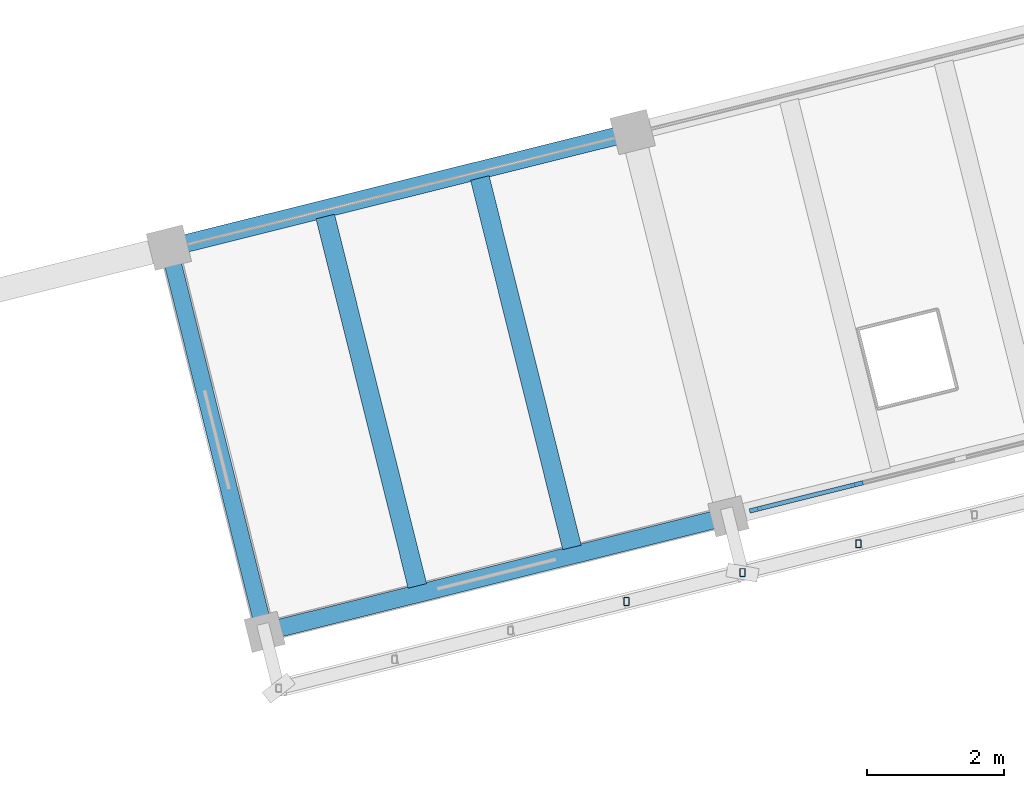
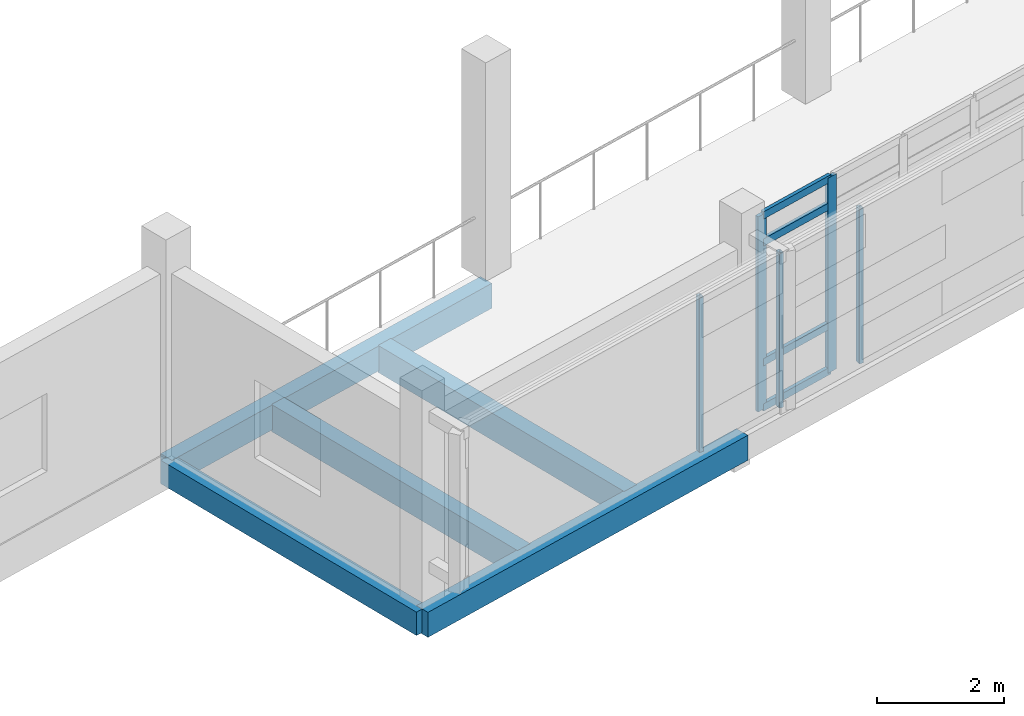
# One storey, part 5 of 137: 9 members, 5 beams, 1 element without a shape of its own.
"""IFC4 building model written with IfcOpenShell, lengths in metres."""

from ifc_helpers import new_model, si_unit, direction, frame, origin, origin_2d, place, context, subcontext, project, spatial, rectangle, hollow_rectangle, extrude, material, material_profile, profile_set, type_object, element, aggregate, save


model = new_model("IFC4")

# Units and contexts
model_context = context("Model", 3, precision=1e-05, world=origin(), true_north=direction((0.0, 1.0)))
body_context = subcontext(model_context, "Body", "Model", "MODEL_VIEW")
ifc_project = project(units=[si_unit("LENGTHUNIT", "METRE"), si_unit("AREAUNIT", "SQUARE_METRE"), si_unit("VOLUMEUNIT", "CUBIC_METRE"), si_unit("PLANEANGLEUNIT", "RADIAN"), si_unit("MASSUNIT", "GRAM", prefix="KILO")], contexts=[model_context])

# Site, building, storey
site_placement = place(None, origin())
site = spatial("IfcSite", under=ifc_project, at=site_placement, CompositionType="ELEMENT")
building_placement = place(site_placement, origin())
building = spatial("IfcBuilding", under=site, at=building_placement, Name="Cinderway Yard Community Centre", CompositionType="ELEMENT")
storey_placement = place(building_placement, frame((0.0, 0.0, 4.800048828125)))
storey = spatial("IfcBuildingStorey", under=building, at=storey_placement, Name="L01", CompositionType="ELEMENT", Elevation=4.800048828125)

# Curtain wall, members
ifc_material_1 = material(Name="Aluminium 6063-T6", Category="aluminium")
curtain_wall_type = type_object("IfcCurtainWallType", Name="ENV-CW-TYPE-05", PredefinedType="USERDEFINED", material=ifc_material_1)
curtain_wall_placement = place(storey_placement, origin())
curtain_wall = element("IfcCurtainWall", 1, at=curtain_wall_placement, inside=storey, type_object=curtain_wall_type, Name="Sanctuary South Curtain Wall ENV-CW-L01-HS-0017", ObjectType="GLAZED CURTAIN WALL", PredefinedType="USERDEFINED")
ifc_material_profile_1 = material_profile(ifc_material_1, rectangle(XDim=0.06494140625, YDim=0.179931640625, at=origin_2d()), Name="Aluminium 6063-T6")
ifc_profile_set_1 = profile_set([ifc_material_profile_1], Name="Aluminium 6063-T6")
member_type_1 = type_object("IfcMemberType", Name="ENV-CW-MULL-180", PredefinedType="MULLION", material=ifc_profile_set_1)
member_1_placement = place(storey_placement, frame((35.195068359375, 22.975341796875, 0.0), z_axis=(0.0, 0.0, 1.0), x_axis=(-0.241856748919, 0.970311966845, 0.0)))
member_1 = element("IfcMember", 2, at=member_1_placement, type_object=member_type_1, Name="CW-05 mullion 1", PredefinedType="MULLION", context=body_context, shape_type="SweptSolid", body=[
    extrude(rectangle(XDim=0.06494140625, YDim=0.179931640625, at=origin_2d()), origin(), (0.0, 0.0, 1.0), 3.75),
])
member_2_placement = place(storey_placement, frame((36.679443359375, 23.34521484375, 0.0), z_axis=(0.0, 0.0, 1.0), x_axis=(-0.241856748919, 0.970311966845, 0.0)))
member_2 = element("IfcMember", 3, at=member_2_placement, type_object=member_type_1, Name="CW-05 mullion 2", PredefinedType="MULLION", context=body_context, shape_type="SweptSolid", body=[
    extrude(rectangle(XDim=0.06494140625, YDim=0.179931640625, at=origin_2d()), origin(), (0.0, 0.0, 1.0), 3.75),
])
ifc_material_profile_2 = material_profile(ifc_material_1, rectangle(XDim=0.06494140625, YDim=0.139892578125, at=origin_2d()), Name="Aluminium 6063-T6")
ifc_profile_set_2 = profile_set([ifc_material_profile_2], Name="Aluminium 6063-T6")
member_type_2 = type_object("IfcMemberType", Name="ENV-CW-TRAN-140", PredefinedType="USERDEFINED", material=ifc_profile_set_2)
member_3_placement = place(storey_placement, frame((35.22412109375, 22.982421875, 0.030029296875), z_axis=(0.970318108791, 0.241832106539, 0.0), x_axis=(-0.241832106539, 0.970318108791, 0.0)))
member_3 = element("IfcMember", 4, at=member_3_placement, type_object=member_type_2, Name="CW-05 transom 1.1", ObjectType="TRANSOM", PredefinedType="USERDEFINED", context=body_context, shape_type="SweptSolid", body=[
    extrude(rectangle(XDim=0.06494140625, YDim=0.139892578125, at=origin_2d()), origin(), (0.0, 0.0, 1.0), 1.469970703125),
])
member_4_placement = place(storey_placement, frame((35.22412109375, 22.982421875, 0.89990234375), z_axis=(0.970318108791, 0.241832106539, 0.0), x_axis=(-0.241832106539, 0.970318108791, 0.0)))
member_4 = element("IfcMember", 5, at=member_4_placement, type_object=member_type_2, Name="CW-05 transom 1.2", ObjectType="TRANSOM", PredefinedType="USERDEFINED", context=body_context, shape_type="SweptSolid", body=[
    extrude(rectangle(XDim=0.06494140625, YDim=0.139892578125, at=origin_2d()), origin(), (0.0, 0.0, 1.0), 1.469970703125),
])
member_5_placement = place(storey_placement, frame((35.22412109375, 22.982421875, 3.199951171875), z_axis=(0.970318108791, 0.241832106539, 0.0), x_axis=(-0.241832106539, 0.970318108791, 0.0)))
member_5 = element("IfcMember", 6, at=member_5_placement, type_object=member_type_2, Name="CW-05 transom 1.3", ObjectType="TRANSOM", PredefinedType="USERDEFINED", context=body_context, shape_type="SweptSolid", body=[
    extrude(rectangle(XDim=0.06494140625, YDim=0.139892578125, at=origin_2d()), origin(), (0.0, 0.0, 1.0), 1.469970703125),
])
member_6_placement = place(storey_placement, frame((35.22412109375, 22.982421875, 3.719970703125), z_axis=(0.970318108791, 0.241832106539, 0.0), x_axis=(-0.241832106539, 0.970318108791, 0.0)))
member_6 = element("IfcMember", 7, at=member_6_placement, type_object=member_type_2, Name="CW-05 transom 1.4", ObjectType="TRANSOM", PredefinedType="USERDEFINED", context=body_context, shape_type="SweptSolid", body=[
    extrude(rectangle(XDim=0.06494140625, YDim=0.139892578125, at=origin_2d()), origin(), (0.0, 0.0, 1.0), 1.469970703125),
])
aggregate(curtain_wall, [member_1, member_2, member_3, member_4, member_5, member_6])

# Members
ifc_material_2 = material(Name="Steel S355", Category="steel")
ifc_material_profile_3 = material_profile(ifc_material_2, hollow_rectangle(XDim=0.080078125, YDim=0.1201171875, WallThickness=0.00634765625, InnerFilletRadius=0.00634765625, OuterFilletRadius=0.0126953125, at=origin_2d()), Name="Steel S355")
ifc_profile_set_3 = profile_set([ifc_material_profile_3], Name="Steel S355")
member_type_3 = type_object("IfcMemberType", Name="ENV-MEM-SCREEN-RAIL-120", PredefinedType="STRINGER", material=ifc_profile_set_3)
for number, where, z_axis, x_axis, name in (
    (8, (33.304931640625, 21.6279296875, 0.68994140625), (0.0, 0.0, 1.0), (1.0, 0.0, 0.0), "Screen vertical mullion 0831"),
    (9, (35.0029296875, 22.051025390625, 0.68994140625), (0.0, 0.0, 1.0), (1.0, 0.0, 0.0), "Screen vertical mullion 0832"),
    (10, (36.700927734375, 22.47412109375, 0.68994140625), (0.0, 0.0, 1.0), (1.0, 0.0, 0.0), "Screen vertical mullion 0836"),
):
    element("IfcMember", number, at=place(storey_placement, frame(where, z_axis=z_axis, x_axis=x_axis)), inside=storey, type_object=member_type_3, Name=name, PredefinedType="STRINGER", context=body_context, shape_type="SweptSolid", body=[
        extrude(hollow_rectangle(XDim=0.080078125, YDim=0.1201171875, WallThickness=0.00634765625, InnerFilletRadius=0.00634765625, OuterFilletRadius=0.0126953125, at=origin_2d()), origin(), (0.0, 0.0, 1.0), 2.969970703125),
    ])

# Beams
ifc_material_3 = material(Name="Concrete C40/50", Category="concrete")
ifc_material_profile_4 = material_profile(ifc_material_3, rectangle(XDim=0.25, YDim=0.449951171875, at=origin_2d()), Name="Concrete C40/50")
ifc_profile_set_4 = profile_set([ifc_material_profile_4], Name="Concrete C40/50")
beam_type_1 = type_object("IfcBeamType", Name="STR-BM-RC250X450", PredefinedType="SPANDREL", material=ifc_profile_set_4)
beam_1_placement = place(storey_placement, frame((28.0048828125, 21.18310546875, -0.465087890625), z_axis=(-0.241901609859, 0.970300783854, 0.0), x_axis=(-0.970300783854, -0.241901609859, 0.0)))
element("IfcBeam", 11, at=beam_1_placement, inside=storey, type_object=beam_type_1, Name="Transverse girder STR-BM-L01-SP02-0008", PredefinedType="SPANDREL", context=body_context, shape_type="SweptSolid", body=[
    extrude(rectangle(XDim=0.25, YDim=0.449951171875, at=origin_2d()), origin(), (0.0, 0.0, 1.0), 5.799072265625),
])
ifc_material_profile_5 = material_profile(ifc_material_3, rectangle(XDim=0.260009765625, YDim=0.47998046875, at=origin_2d()), Name="Concrete C40/50")
ifc_profile_set_5 = profile_set([ifc_material_profile_5], Name="Concrete C40/50")
beam_type_2 = type_object("IfcBeamType", Name="STR-BM-RC260X480", PredefinedType="SPANDREL", material=ifc_profile_set_5)
for number, where, z_axis, x_axis, name in (
    (12, (28.0048828125, 21.18310546875, -0.47998046875), (0.970316635025, 0.241838019743, 0.0), (-0.241838019743, 0.970316635025, 0.0), "Primary girder STR-BM-L01-SP01-0001"),
    (13, (26.60205078125, 26.81005859375, -0.47998046875), (0.970281848186, 0.24197755078, 0.0), (-0.24197755078, 0.970281848186, 0.0), "Primary girder STR-BM-L01-SP01-0005"),
):
    element("IfcBeam", number, at=place(storey_placement, frame(where, z_axis=z_axis, x_axis=x_axis)), inside=storey, type_object=beam_type_2, Name=name, PredefinedType="SPANDREL", context=body_context, shape_type="SweptSolid", body=[
        extrude(rectangle(XDim=0.260009765625, YDim=0.47998046875, at=origin_2d()), origin(), (0.0, 0.0, 1.0), 7.0),
    ])
ifc_material_4 = material(Name="Concrete C35/45", Category="concrete")
ifc_material_profile_6 = material_profile(ifc_material_4, rectangle(XDim=0.280029296875, YDim=0.52001953125, at=origin_2d()), Name="Concrete C35/45")
ifc_profile_set_6 = profile_set([ifc_material_profile_6], Name="Concrete C35/45")
beam_type_3 = type_object("IfcBeamType", Name="STR-BM-RC280X520", PredefinedType="JOIST", material=ifc_profile_set_6)
beam_2_placement = place(storey_placement, frame((30.241943359375, 21.85595703125, -0.5), z_axis=(-0.241917421093, 0.970296841885, 0.0), x_axis=(-0.970296841885, -0.241917421093, 0.0)))
element("IfcBeam", 14, at=beam_2_placement, inside=storey, type_object=beam_type_3, Name="Secondary joist STR-BM-L01-BJ04-0013", PredefinedType="JOIST", context=body_context, shape_type="SweptSolid", body=[
    extrude(rectangle(XDim=0.280029296875, YDim=0.52001953125, at=origin_2d()), origin(), (0.0, 0.0, 1.0), 5.57568359375),
])
beam_3_placement = place(storey_placement, frame((32.506103515625, 22.419921875, -0.5), z_axis=(-0.241917532688, 0.970296814062, 0.0), x_axis=(-0.970296814062, -0.241917532688, 0.0)))
element("IfcBeam", 15, at=beam_3_placement, inside=storey, type_object=beam_type_3, Name="Secondary joist STR-BM-L01-BJ04-0014", PredefinedType="JOIST", context=body_context, shape_type="SweptSolid", body=[
    extrude(rectangle(XDim=0.280029296875, YDim=0.52001953125, at=origin_2d()), origin(), (0.0, 0.0, 1.0), 5.57666015625),
])

save(model, "model.ifc")
